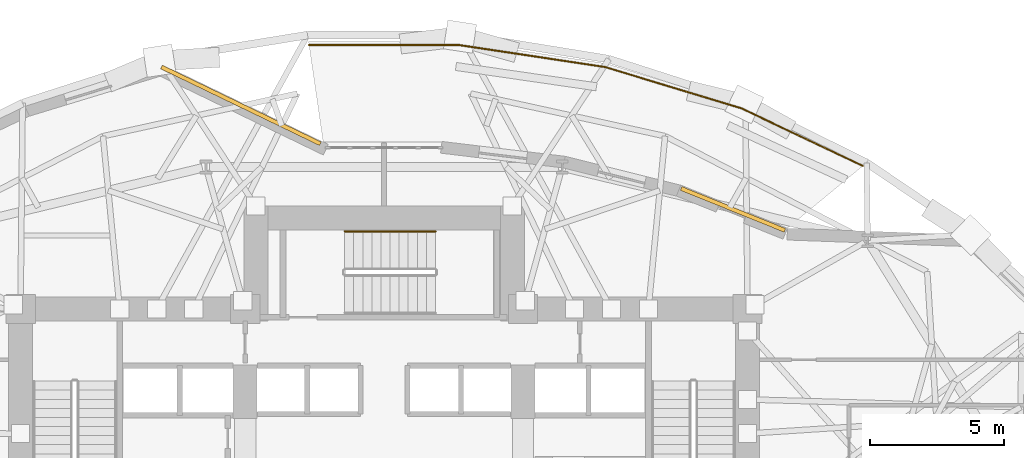
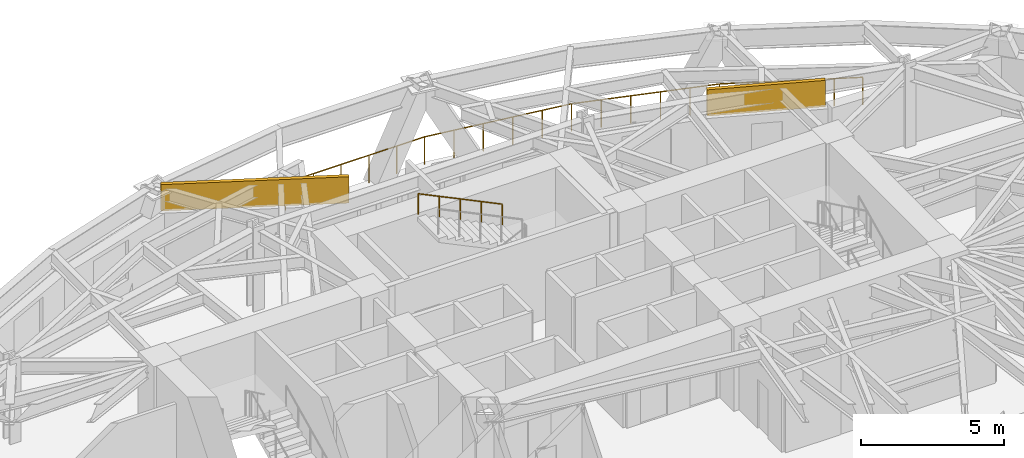
# One storey, part 15 of 15: 2 coverings, 2 railings.
"""IFC4 building model written with IfcOpenShell, lengths in metres."""

from ifc_helpers import new_model, si_unit, direction, frame, origin, origin_2d, place, context, subcontext, project, spatial, rectangle, circle, extrude, material, layer, layer_set, type_object, element, save


model = new_model("IFC4")

# Units and contexts
model_context = context("Model", 3, precision=1e-05, world=origin(), true_north=direction((0.0, 1.0)))
body_context = subcontext(model_context, "Body", "Model", "MODEL_VIEW")
ifc_project = project(units=[si_unit("LENGTHUNIT", "METRE"), si_unit("AREAUNIT", "SQUARE_METRE"), si_unit("VOLUMEUNIT", "CUBIC_METRE"), si_unit("PLANEANGLEUNIT", "RADIAN"), si_unit("MASSUNIT", "GRAM", prefix="KILO")], contexts=[model_context])

# Site, building, storey
site_placement = place(None, origin())
site = spatial("IfcSite", under=ifc_project, at=site_placement, CompositionType="ELEMENT")
building_placement = place(site_placement, origin())
building = spatial("IfcBuilding", under=site, at=building_placement, Name="Keldmark Tower", CompositionType="ELEMENT")
storey_placement = place(building_placement, frame((0.0, 0.0, 55.800048828125)))
storey = spatial("IfcBuildingStorey", under=building, at=storey_placement, Name="L14", CompositionType="ELEMENT", Elevation=55.800048828125)

# Railing
ifc_material_1 = material(Name="DuPont SentryGlas Laminated Glass and Stainless Posts", Category="glass")
railing_type_1 = type_object("IfcRailingType", Name="Heated Laminated Glass Wind-Baffle Guard 1200 mm", PredefinedType="GUARDRAIL", material=ifc_material_1)
railing_1_placement = place(storey_placement, frame((17.91796875, 14.800537109375, 0.0)))
element("IfcRailing", 1, at=railing_1_placement, inside=storey, type_object=railing_type_1, Name="L14 Terrace Laminated Glass Wind-Baffle Guard TERR 01", PredefinedType="GUARDRAIL", context=body_context, shape_type="SweptSolid", body=[
    extrude(circle(Radius=0.02392578125, at=origin_2d()), frame((0.0, 0.0, 1.17578125), z_axis=(-0.903481852416, 0.428626343514, 0.0), x_axis=(-0.428626343514, -0.903481852416, 0.0)), (0.0, 0.0, 1.0), 5.032958984375),
    extrude(circle(Radius=0.02392578125, at=origin_2d()), frame((-4.547119140625, 2.1572265625, 1.17578125), z_axis=(-0.956944096925, 0.290272277974, 0.0), x_axis=(-0.290272277974, -0.956944096925, 0.0)), (0.0, 0.0, 1.0), 5.320556640625),
    extrude(circle(Radius=0.02392578125, at=origin_2d()), frame((-9.638671875, 3.70166015625, 1.17578125), z_axis=(-0.988843273894, 0.148959657876, 0.0), x_axis=(-0.148959657876, -0.988843273894, 0.0)), (0.0, 0.0, 1.0), 5.533203125),
    extrude(circle(Radius=0.02392578125, at=origin_2d()), frame((-15.110107421875, 4.52587890625, 1.17578125), z_axis=(-1.0, 0.0, 0.0), x_axis=(0.0, -1.0, 0.0)), (0.0, 0.0, 1.0), 5.61572265625),
    extrude(circle(Radius=0.02099609375, at=origin_2d()), origin(), (0.0, 0.0, 1.0), 1.15185546875),
    extrude(circle(Radius=0.02099609375, at=origin_2d()), frame((-0.909423828125, 0.431396484375, 0.0)), (0.0, 0.0, 1.0), 1.15185546875),
    extrude(circle(Radius=0.02099609375, at=origin_2d()), frame((-1.81884765625, 0.86279296875, 0.0)), (0.0, 0.0, 1.0), 1.15185546875),
    extrude(circle(Radius=0.02099609375, at=origin_2d()), frame((-2.728271484375, 1.29443359375, 0.0)), (0.0, 0.0, 1.0), 1.15185546875),
    extrude(circle(Radius=0.02099609375, at=origin_2d()), frame((-3.6376953125, 1.725830078125, 0.0)), (0.0, 0.0, 1.0), 1.15185546875),
    extrude(circle(Radius=0.02099609375, at=origin_2d()), frame((-4.547119140625, 2.1572265625, 0.0)), (0.0, 0.0, 1.0), 1.15185546875),
    extrude(circle(Radius=0.02099609375, at=origin_2d()), frame((-5.5654296875, 2.466064453125, 0.0)), (0.0, 0.0, 1.0), 1.15185546875),
    extrude(circle(Radius=0.02099609375, at=origin_2d()), frame((-6.583740234375, 2.77490234375, 0.0)), (0.0, 0.0, 1.0), 1.15185546875),
    extrude(circle(Radius=0.02099609375, at=origin_2d()), frame((-7.60205078125, 3.083984375, 0.0)), (0.0, 0.0, 1.0), 1.15185546875),
    extrude(circle(Radius=0.02099609375, at=origin_2d()), frame((-8.620361328125, 3.392822265625, 0.0)), (0.0, 0.0, 1.0), 1.15185546875),
    extrude(circle(Radius=0.02099609375, at=origin_2d()), frame((-9.638671875, 3.70166015625, 0.0)), (0.0, 0.0, 1.0), 1.15185546875),
    extrude(circle(Radius=0.02099609375, at=origin_2d()), frame((-10.73291015625, 3.866455078125, 0.0)), (0.0, 0.0, 1.0), 1.15185546875),
    extrude(circle(Radius=0.02099609375, at=origin_2d()), frame((-11.8271484375, 4.03125, 0.0)), (0.0, 0.0, 1.0), 1.15185546875),
    extrude(circle(Radius=0.02099609375, at=origin_2d()), frame((-12.921630859375, 4.1962890625, 0.0)), (0.0, 0.0, 1.0), 1.15185546875),
    extrude(circle(Radius=0.02099609375, at=origin_2d()), frame((-14.015869140625, 4.361083984375, 0.0)), (0.0, 0.0, 1.0), 1.15185546875),
    extrude(circle(Radius=0.02099609375, at=origin_2d()), frame((-15.110107421875, 4.52587890625, 0.0)), (0.0, 0.0, 1.0), 1.15185546875),
    extrude(circle(Radius=0.02099609375, at=origin_2d()), frame((-16.233154296875, 4.52587890625, 0.0)), (0.0, 0.0, 1.0), 1.15185546875),
    extrude(circle(Radius=0.02099609375, at=origin_2d()), frame((-17.3564453125, 4.52587890625, 0.0)), (0.0, 0.0, 1.0), 1.15185546875),
    extrude(circle(Radius=0.02099609375, at=origin_2d()), frame((-18.4794921875, 4.52587890625, 0.0)), (0.0, 0.0, 1.0), 1.15185546875),
    extrude(circle(Radius=0.02099609375, at=origin_2d()), frame((-19.602783203125, 4.52587890625, 0.0)), (0.0, 0.0, 1.0), 1.15185546875),
    extrude(circle(Radius=0.02099609375, at=origin_2d()), frame((-20.725830078125, 4.52587890625, 0.0)), (0.0, 0.0, 1.0), 1.15185546875),
])

# Coverings
ifc_material_2 = material(Name="Honed Kasota Buff Dolomitic Limestone", Category="masonry")
ifc_layer = layer(ifc_material_2, 0.074951171875)
ifc_layer_set = layer_set([ifc_layer], Name="Honed Kasota Buff Dolomitic Limestone")
covering_type = type_object("IfcCoveringType", Name="Kasota Buff Limestone Spandrel Cladding Band", PredefinedType="CLADDING", material=ifc_layer_set)
covering_1_placement = place(storey_placement, frame((13.05908203125, 13.1748046875, 2.452880859375), z_axis=(0.0, 0.0, 1.0), x_axis=(-0.927092293231, 0.374833135985, 0.0)))
element("IfcCovering", 2, at=covering_1_placement, inside=storey, type_object=covering_type, Name="L14 Kasota Limestone Spandrel Band 05", PredefinedType="CLADDING", context=body_context, shape_type="SweptSolid", body=[
    extrude(rectangle(XDim=4.185302734375, YDim=0.14990234375, at=origin_2d()), origin(), (0.0, 0.0, 1.0), 1.126953125),
])
covering_2_placement = place(storey_placement, frame((-5.35693359375, 17.068115234375, 2.452880859375), z_axis=(0.0, 0.0, 1.0), x_axis=(-0.900402313182, 0.435058242557, 0.0)))
element("IfcCovering", 3, at=covering_2_placement, inside=storey, type_object=covering_type, Name="L14 Kasota Limestone Spandrel Band 09", PredefinedType="CLADDING", context=body_context, shape_type="SweptSolid", body=[
    extrude(rectangle(XDim=6.604736328125, YDim=0.14990234375, at=origin_2d()), origin(), (0.0, 0.0, 1.0), 1.126953125),
])

# Railing
ifc_material_3 = material(Name="Stainless Steel AISI 316L", Category="steel")
railing_type_2 = type_object("IfcRailingType", Name="Stainless Steel Stair Handrail 900 mm", PredefinedType="HANDRAIL", material=ifc_material_3)
railing_2_placement = place(storey_placement, frame((1.925048828125, 12.35009765625, 1.963623046875)))
element("IfcRailing", 4, at=railing_2_placement, inside=storey, type_object=railing_type_2, Name="L14 ST3 stair handrail 2", PredefinedType="HANDRAIL", context=body_context, shape_type="SweptSolid", body=[
    extrude(circle(Radius=0.02392578125, at=origin_2d()), frame((0.0, 0.0, 0.8759765625), z_axis=(-0.901092505359, 0.0, 0.433626909666), x_axis=(0.0, -1.0, 0.0)), (0.0, 0.0, 1.0), 3.7734375),
    extrude(circle(Radius=0.02099609375, at=origin_2d()), origin(), (0.0, 0.0, 1.0), 0.851806640625),
    extrude(circle(Radius=0.02099609375, at=origin_2d()), frame((-0.85009765625, 0.0, 0.4091796875)), (0.0, 0.0, 1.0), 0.851806640625),
    extrude(circle(Radius=0.02099609375, at=origin_2d()), frame((-1.7001953125, 0.0, 0.818115234375)), (0.0, 0.0, 1.0), 0.851806640625),
    extrude(circle(Radius=0.02099609375, at=origin_2d()), frame((-2.550048828125, 0.0, 1.22705078125)), (0.0, 0.0, 1.0), 0.851806640625),
    extrude(circle(Radius=0.02099609375, at=origin_2d()), frame((-3.400146484375, 0.0, 1.63623046875)), (0.0, 0.0, 1.0), 0.851806640625),
])

save(model, "model.ifc")
